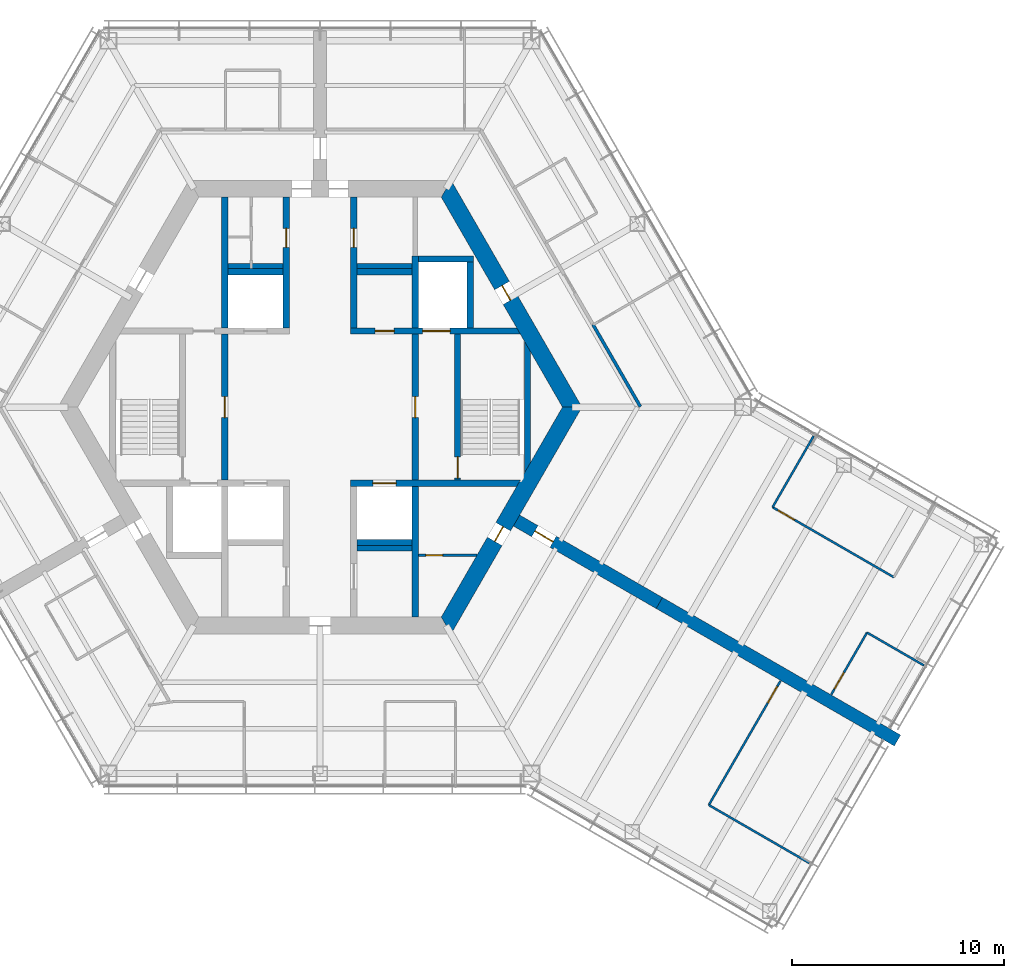
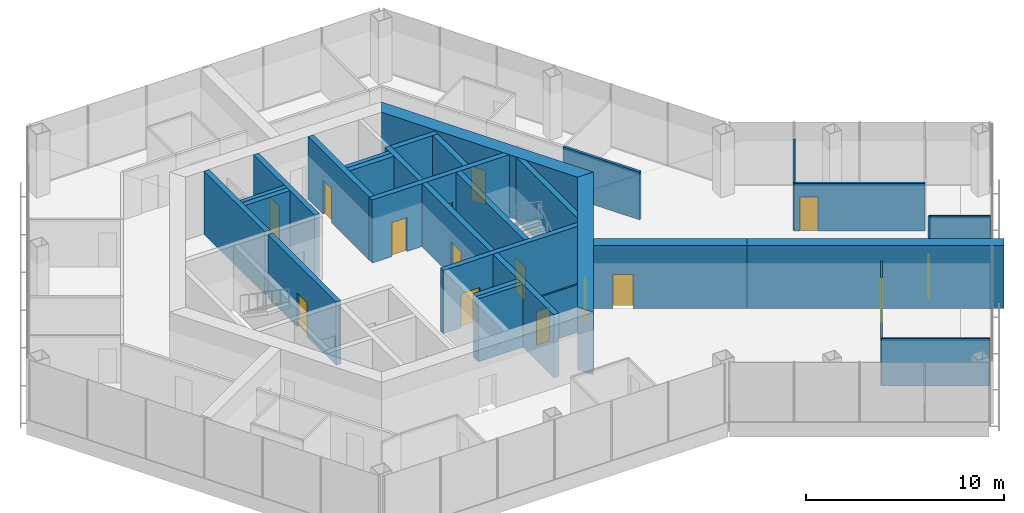
# One storey, part 11 of 16: 31 walls, 15 doors, 15 openings.
"""IFC4 building model written with IfcOpenShell, lengths in metres."""

from ifc_helpers import new_model, si_unit, direction, frame, frame_2d, origin, place, context, subcontext, project, spatial, polyline, rectangle, outline, extrude, material, layer, layer_set, type_object, element, fill, save


model = new_model("IFC4")

# Units and contexts
model_context = context("Model", 3, precision=1e-05, world=origin(), true_north=direction((0.0, 1.0)))
body_context = subcontext(model_context, "Body", "Model", "MODEL_VIEW")
ifc_project = project(units=[si_unit("LENGTHUNIT", "METRE"), si_unit("AREAUNIT", "SQUARE_METRE"), si_unit("VOLUMEUNIT", "CUBIC_METRE"), si_unit("PLANEANGLEUNIT", "RADIAN"), si_unit("MASSUNIT", "GRAM", prefix="KILO")], contexts=[model_context])

# Site, building, storey
site_placement = place(None, origin())
site = spatial("IfcSite", under=ifc_project, at=site_placement, CompositionType="ELEMENT")
building_placement = place(site_placement, origin())
building = spatial("IfcBuilding", under=site, at=building_placement, Name="Kasaneha Research Tower", CompositionType="ELEMENT")
storey_placement = place(building_placement, frame((0.0, 0.0, 263.5)))
storey = spatial("IfcBuildingStorey", under=building, at=storey_placement, Name="L66", CompositionType="ELEMENT", Elevation=263.5)

# Wall, openings, doors
ifc_material_1 = material(Name="Concrete Fc60", Category="concrete")
ifc_layer_1 = layer(ifc_material_1, 0.300048828125)
ifc_layer_set_1 = layer_set([ifc_layer_1], Name="Core internal wall 300 Fc60")
wall_type_1 = type_object("IfcWallType", Name="Core internal wall 300 Fc60", PredefinedType="SHEAR", material=ifc_layer_set_1)
wall_1_placement = place(storey_placement, frame((1.449951171875, 3.60009765625, 0.0), z_axis=(0.0, 0.0, 1.0), x_axis=(1.0, 0.0, 0.0)))
wall_1 = element("IfcWall", 1, at=wall_1_placement, inside=storey, type_object=wall_type_1, Name="Core wall W1E L66", PredefinedType="SHEAR", context=body_context, shape_type="SweptSolid", body=[
    extrude(outline(polyline([(0.0, -0.14990234375), (1.14990234375, -0.14990234375), (2.0498046875, -0.14990234375), (3.39990234375, -0.14990234375), (4.699951171875, -0.14990234375), (8.0185546875, -0.14990234375), (7.84521484375, 0.14990234375), (4.699951171875, 0.14990234375), (3.39990234375, 0.14990234375), (2.0498046875, 0.14990234375), (1.14990234375, 0.14990234375), (0.0, 0.14990234375), (0.0, -0.14990234375)])), origin(), (0.0, 0.0, 1.0), 3.89990234375),
])
opening_1_placement = place(wall_1_placement, frame((1.14990234375, 0.0, 0.0)))
opening_1 = element("IfcOpeningElement", 2, at=opening_1_placement, cuts=wall_1, Name="Opening L66-D17", PredefinedType="OPENING", context=body_context, shape_type="SweptSolid", body=[
    extrude(rectangle(XDim=0.89990234375, YDim=2.10009765625, at=frame_2d((0.449951171875, 1.050048828125))), frame((0.0, 0.16015625, 0.0), z_axis=(0.0, -1.0, 0.0), x_axis=(1.0, 0.0, 0.0)), (0.0, 0.0, 1.0), 0.320068359375),
])
opening_2_placement = place(wall_1_placement, frame((3.39990234375, 0.0, 0.0)))
opening_2 = element("IfcOpeningElement", 3, at=opening_2_placement, cuts=wall_1, Name="Opening LD-FL1-L66", PredefinedType="OPENING", context=body_context, shape_type="SweptSolid", body=[
    extrude(rectangle(XDim=1.300048828125, YDim=2.10009765625, at=frame_2d((0.64990234375, 1.050048828125))), frame((0.0, 0.16015625, 0.0), z_axis=(0.0, -1.0, 0.0), x_axis=(1.0, 0.0, 0.0)), (0.0, 0.0, 1.0), 0.320068359375),
])
ifc_material_2 = material(Name="Steel", Category="steel")
door_type_1 = type_object("IfcDoorType", Name="Lift landing door 1300x2100", OperationType="DOUBLE_DOOR_SLIDING", PredefinedType="DOOR", material=ifc_material_2)
door_1_placement = place(opening_2_placement, origin())
door_1 = element("IfcDoor", 4, at=door_1_placement, inside=storey, type_object=door_type_1, Name="Landing door FL1 LD-FL1-L66", OperationType="DOUBLE_DOOR_SLIDING", OverallHeight=2.10009765625, OverallWidth=1.300048828125, PredefinedType="DOOR", context=body_context, shape_type="SweptSolid", body=[
    extrude(rectangle(XDim=1.300048828125, YDim=2.10009765625, at=frame_2d((0.64990234375, 1.050048828125))), frame((0.0, 0.02490234375, 0.0), z_axis=(0.0, -1.0, 0.0), x_axis=(1.0, 0.0, 0.0)), (0.0, 0.0, 1.0), 0.050048828125),
])
fill(opening_2, door_1)
ifc_material_3 = material(Name="Steel", Category="steel")
door_type_2 = type_object("IfcDoorType", Name="Shaft room door FD60 900x2100", OperationType="NOTDEFINED", PredefinedType="DOOR", material=ifc_material_3)
door_2_placement = place(opening_1_placement, origin())
door_2 = element("IfcDoor", 5, at=door_2_placement, inside=storey, type_object=door_type_2, Name="Archive store door L66-D17", OperationType="SINGLE_SWING_LEFT", OverallHeight=2.10009765625, OverallWidth=0.89990234375, PredefinedType="DOOR", context=body_context, shape_type="SweptSolid", body=[
    extrude(rectangle(XDim=0.89990234375, YDim=2.10009765625, at=frame_2d((0.449951171875, 1.050048828125))), frame((0.0, 0.02490234375, 0.0), z_axis=(0.0, -1.0, 0.0), x_axis=(1.0, 0.0, 0.0)), (0.0, 0.0, 1.0), 0.050048828125),
])
fill(opening_1, door_2)

# Wall, opening, door
wall_2_placement = place(storey_placement, frame((1.449951171875, -3.60009765625, 0.0), z_axis=(0.0, 0.0, 1.0), x_axis=(1.0, 0.0, 0.0)))
wall_2 = element("IfcWall", 6, at=wall_2_placement, inside=storey, type_object=wall_type_1, Name="Core wall W2E L66", PredefinedType="SHEAR", context=body_context, shape_type="SweptSolid", body=[
    extrude(outline(polyline([(0.0, -0.14990234375), (1.050048828125, -0.14990234375), (2.150146484375, -0.14990234375), (7.84521484375, -0.14990234375), (8.0185546875, 0.14990234375), (2.150146484375, 0.14990234375), (1.050048828125, 0.14990234375), (0.0, 0.14990234375), (0.0, -0.14990234375)])), origin(), (0.0, 0.0, 1.0), 3.89990234375),
])
opening_3_placement = place(wall_2_placement, frame((1.050048828125, 0.0, 0.0)))
opening_3 = element("IfcOpeningElement", 7, at=opening_3_placement, cuts=wall_2, Name="Opening LD-LH3-L66", PredefinedType="OPENING", context=body_context, shape_type="SweptSolid", body=[
    extrude(rectangle(XDim=1.10009765625, YDim=2.10009765625, at=frame_2d((0.550048828125, 1.050048828125))), frame((0.0, 0.16015625, 0.0), z_axis=(0.0, -1.0, 0.0), x_axis=(1.0, 0.0, 0.0)), (0.0, 0.0, 1.0), 0.320068359375),
])
ifc_material_4 = material(Name="Steel", Category="steel")
door_type_3 = type_object("IfcDoorType", Name="Lift landing door 1100x2100", OperationType="DOUBLE_DOOR_SLIDING", PredefinedType="DOOR", material=ifc_material_4)
door_3_placement = place(opening_3_placement, origin())
door_3 = element("IfcDoor", 8, at=door_3_placement, inside=storey, type_object=door_type_3, Name="Landing door LH3 LD-LH3-L66", OperationType="DOUBLE_DOOR_SLIDING", OverallHeight=2.10009765625, OverallWidth=1.10009765625, PredefinedType="DOOR", context=body_context, shape_type="SweptSolid", body=[
    extrude(rectangle(XDim=1.10009765625, YDim=2.10009765625, at=frame_2d((0.550048828125, 1.050048828125))), frame((0.0, 0.02490234375, 0.0), z_axis=(0.0, -1.0, 0.0), x_axis=(1.0, 0.0, 0.0)), (0.0, 0.0, 1.0), 0.050048828125),
])
fill(opening_3, door_3)

wall_3_placement = place(storey_placement, frame((-1.60009765625, 3.75, 0.0), z_axis=(0.0, 0.0, 1.0), x_axis=(0.0, 1.0, 0.0)))
wall_3 = element("IfcWall", 9, at=wall_3_placement, inside=storey, type_object=wall_type_1, Name="Core wall CNW L66", PredefinedType="SHEAR", context=body_context, shape_type="SweptSolid", body=[
    extrude(rectangle(XDim=6.175048828125, YDim=0.300048828125, at=frame_2d((3.08740234375, 0.0))), origin(), (0.0, 0.0, 1.0), 3.89990234375),
])
opening_4_placement = place(wall_3_placement, frame((3.800048828125, 0.0, 0.0)))
opening_4 = element("IfcOpeningElement", 10, at=opening_4_placement, cuts=wall_3, Name="Opening L66-D13", PredefinedType="OPENING", context=body_context, shape_type="SweptSolid", body=[
    extrude(rectangle(XDim=0.89990234375, YDim=2.10009765625, at=frame_2d((0.449951171875, 1.050048828125))), frame((0.0, 0.16015625, 0.0), z_axis=(0.0, -1.0, 0.0), x_axis=(1.0, 0.0, 0.0)), (0.0, 0.0, 1.0), 0.320068359375),
])
ifc_material_5 = material(Name="Steel", Category="steel")
door_type_4 = type_object("IfcDoorType", Name="Toilet door FD20 900x2100", OperationType="NOTDEFINED", PredefinedType="DOOR", material=ifc_material_5)
door_4_placement = place(opening_4_placement, origin())
door_4 = element("IfcDoor", 11, at=door_4_placement, inside=storey, type_object=door_type_4, Name="Men's WC door L66-D13", OperationType="SINGLE_SWING_LEFT", OverallHeight=2.10009765625, OverallWidth=0.89990234375, PredefinedType="DOOR", context=body_context, shape_type="SweptSolid", body=[
    extrude(rectangle(XDim=0.89990234375, YDim=2.10009765625, at=frame_2d((0.449951171875, 1.050048828125))), frame((0.0, 0.02490234375, 0.0), z_axis=(0.0, -1.0, 0.0), x_axis=(1.0, 0.0, 0.0)), (0.0, 0.0, 1.0), 0.050048828125),
])
fill(opening_4, door_4)

wall_4_placement = place(storey_placement, frame((1.60009765625, 3.75, 0.0), z_axis=(0.0, 0.0, 1.0), x_axis=(0.0, 1.0, 0.0)))
wall_4 = element("IfcWall", 12, at=wall_4_placement, inside=storey, type_object=wall_type_1, Name="Core wall CNE L66", PredefinedType="SHEAR", context=body_context, shape_type="SweptSolid", body=[
    extrude(rectangle(XDim=6.175048828125, YDim=0.300048828125, at=frame_2d((3.08740234375, 0.0))), origin(), (0.0, 0.0, 1.0), 3.89990234375),
])
opening_5_placement = place(wall_4_placement, frame((3.800048828125, 0.0, 0.0)))
opening_5 = element("IfcOpeningElement", 13, at=opening_5_placement, cuts=wall_4, Name="Opening L66-D14", PredefinedType="OPENING", context=body_context, shape_type="SweptSolid", body=[
    extrude(rectangle(XDim=0.89990234375, YDim=2.10009765625, at=frame_2d((0.449951171875, 1.050048828125))), frame((0.0, 0.16015625, 0.0), z_axis=(0.0, -1.0, 0.0), x_axis=(1.0, 0.0, 0.0)), (0.0, 0.0, 1.0), 0.320068359375),
])
door_5_placement = place(opening_5_placement, origin())
door_5 = element("IfcDoor", 14, at=door_5_placement, inside=storey, type_object=door_type_4, Name="Women's WC door L66-D14", OperationType="SINGLE_SWING_LEFT", OverallHeight=2.10009765625, OverallWidth=0.89990234375, PredefinedType="DOOR", context=body_context, shape_type="SweptSolid", body=[
    extrude(rectangle(XDim=0.89990234375, YDim=2.10009765625, at=frame_2d((0.449951171875, 1.050048828125))), frame((0.0, 0.02490234375, 0.0), z_axis=(0.0, -1.0, 0.0), x_axis=(1.0, 0.0, 0.0)), (0.0, 0.0, 1.0), 0.050048828125),
])
fill(opening_5, door_5)

wall_5_placement = place(storey_placement, frame((-4.5, -3.449951171875, 0.0), z_axis=(0.0, 0.0, 1.0), x_axis=(0.0, 1.0, 0.0)))
wall_5 = element("IfcWall", 15, at=wall_5_placement, inside=storey, type_object=wall_type_1, Name="Core wall LBW L66", PredefinedType="SHEAR", context=body_context, shape_type="SweptSolid", body=[
    extrude(rectangle(XDim=6.89990234375, YDim=0.300048828125, at=frame_2d((3.449951171875, 0.0))), origin(), (0.0, 0.0, 1.0), 3.89990234375),
])
opening_6_placement = place(wall_5_placement, frame((2.949951171875, 0.0, 0.0)))
opening_6 = element("IfcOpeningElement", 16, at=opening_6_placement, cuts=wall_5, Name="Opening L66-D09", PredefinedType="OPENING", context=body_context, shape_type="SweptSolid", body=[
    extrude(rectangle(XDim=1.0, YDim=2.10009765625, at=frame_2d((0.5, 1.050048828125))), frame((0.0, 0.16015625, 0.0), z_axis=(0.0, -1.0, 0.0), x_axis=(1.0, 0.0, 0.0)), (0.0, 0.0, 1.0), 0.320068359375),
])
ifc_material_6 = material(Name="Steel", Category="steel")
door_type_5 = type_object("IfcDoorType", Name="Specified fire door FD60 1000x2100", OperationType="NOTDEFINED", PredefinedType="DOOR", material=ifc_material_6)
door_6_placement = place(opening_6_placement, origin())
door_6 = element("IfcDoor", 17, at=door_6_placement, inside=storey, type_object=door_type_5, Name="Lift lobby door west L66-D09", OperationType="SINGLE_SWING_LEFT", OverallHeight=2.10009765625, OverallWidth=1.0, PredefinedType="DOOR", context=body_context, shape_type="SweptSolid", body=[
    extrude(rectangle(XDim=1.0, YDim=2.10009765625, at=frame_2d((0.5, 1.050048828125))), frame((0.0, 0.02490234375, 0.0), z_axis=(0.0, -1.0, 0.0), x_axis=(1.0, 0.0, 0.0)), (0.0, 0.0, 1.0), 0.050048828125),
])
fill(opening_6, door_6)

wall_6_placement = place(storey_placement, frame((4.5, -3.449951171875, 0.0), z_axis=(0.0, 0.0, 1.0), x_axis=(0.0, 1.0, 0.0)))
wall_6 = element("IfcWall", 18, at=wall_6_placement, inside=storey, type_object=wall_type_1, Name="Core wall LBE L66", PredefinedType="SHEAR", context=body_context, shape_type="SweptSolid", body=[
    extrude(rectangle(XDim=6.89990234375, YDim=0.300048828125, at=frame_2d((3.449951171875, 0.0))), origin(), (0.0, 0.0, 1.0), 3.89990234375),
])
opening_7_placement = place(wall_6_placement, frame((2.949951171875, 0.0, 0.0)))
opening_7 = element("IfcOpeningElement", 19, at=opening_7_placement, cuts=wall_6, Name="Opening L66-D08", PredefinedType="OPENING", context=body_context, shape_type="SweptSolid", body=[
    extrude(rectangle(XDim=1.0, YDim=2.10009765625, at=frame_2d((0.5, 1.050048828125))), frame((0.0, 0.16015625, 0.0), z_axis=(0.0, -1.0, 0.0), x_axis=(1.0, 0.0, 0.0)), (0.0, 0.0, 1.0), 0.320068359375),
])
door_7_placement = place(opening_7_placement, origin())
door_7 = element("IfcDoor", 20, at=door_7_placement, inside=storey, type_object=door_type_5, Name="Lift lobby door east L66-D08", OperationType="SINGLE_SWING_LEFT", OverallHeight=2.10009765625, OverallWidth=1.0, PredefinedType="DOOR", context=body_context, shape_type="SweptSolid", body=[
    extrude(rectangle(XDim=1.0, YDim=2.10009765625, at=frame_2d((0.5, 1.050048828125))), frame((0.0, 0.02490234375, 0.0), z_axis=(0.0, -1.0, 0.0), x_axis=(1.0, 0.0, 0.0)), (0.0, 0.0, 1.0), 0.050048828125),
])
fill(opening_7, door_7)

wall_7_placement = place(storey_placement, frame((6.5, -3.449951171875, 0.0), z_axis=(0.0, 0.0, 1.0), x_axis=(0.0, 1.0, 0.0)))
wall_7 = element("IfcWall", 21, at=wall_7_placement, inside=storey, type_object=wall_type_1, Name="Core wall ANE L66", PredefinedType="SHEAR", context=body_context, shape_type="SweptSolid", body=[
    extrude(rectangle(XDim=6.89990234375, YDim=0.300048828125, at=frame_2d((3.449951171875, 0.0))), origin(), (0.0, 0.0, 1.0), 3.89990234375),
])
opening_8_placement = place(wall_7_placement, frame((0.10009765625, 0.0, 0.0)))
opening_8 = element("IfcOpeningElement", 22, at=opening_8_placement, cuts=wall_7, Name="Opening L66-D10", PredefinedType="OPENING", context=body_context, shape_type="SweptSolid", body=[
    extrude(rectangle(XDim=1.0, YDim=2.10009765625, at=frame_2d((0.5, 1.050048828125))), frame((0.0, 0.16015625, 0.0), z_axis=(0.0, -1.0, 0.0), x_axis=(1.0, 0.0, 0.0)), (0.0, 0.0, 1.0), 0.320068359375),
])
door_8_placement = place(opening_8_placement, origin())
door_8 = element("IfcDoor", 23, at=door_8_placement, inside=storey, type_object=door_type_5, Name="Stair 1 door L66-D10", OperationType="SINGLE_SWING_LEFT", OverallHeight=2.10009765625, OverallWidth=1.0, PredefinedType="DOOR", context=body_context, shape_type="SweptSolid", body=[
    extrude(rectangle(XDim=1.0, YDim=2.10009765625, at=frame_2d((0.5, 1.050048828125))), frame((0.0, 0.02490234375, 0.0), z_axis=(0.0, -1.0, 0.0), x_axis=(1.0, 0.0, 0.0)), (0.0, 0.0, 1.0), 0.050048828125),
])
fill(opening_8, door_8)

# Walls
wall_8_placement = place(storey_placement, frame((-4.5, 3.75, 0.0), z_axis=(0.0, 0.0, 1.0), x_axis=(0.0, 1.0, 0.0)))
element("IfcWall", 24, at=wall_8_placement, inside=storey, type_object=wall_type_1, Name="Core wall VNW L66", PredefinedType="SHEAR", context=body_context, shape_type="SweptSolid", body=[
    extrude(rectangle(XDim=6.175048828125, YDim=0.300048828125, at=frame_2d((3.08740234375, 0.0))), origin(), (0.0, 0.0, 1.0), 3.89990234375),
])
wall_9_placement = place(storey_placement, frame((4.5, 3.75, 0.0), z_axis=(0.0, 0.0, 1.0), x_axis=(0.0, 1.0, 0.0)))
element("IfcWall", 25, at=wall_9_placement, inside=storey, type_object=wall_type_1, Name="Core wall FNE L66", PredefinedType="SHEAR", context=body_context, shape_type="SweptSolid", body=[
    extrude(rectangle(XDim=3.39990234375, YDim=0.300048828125, at=frame_2d((1.699951171875, 0.0))), origin(), (0.0, 0.0, 1.0), 3.89990234375),
])
wall_10_placement = place(storey_placement, frame((4.5, -3.75, 0.0), z_axis=(0.0, 0.0, 1.0), x_axis=(0.0, -1.0, 0.0)))
element("IfcWall", 26, at=wall_10_placement, inside=storey, type_object=wall_type_1, Name="Core wall SSE L66", PredefinedType="SHEAR", context=body_context, shape_type="SweptSolid", body=[
    extrude(rectangle(XDim=6.175048828125, YDim=0.300048828125, at=frame_2d((3.08740234375, 0.0))), origin(), (0.0, 0.0, 1.0), 3.89990234375),
])
for number, where, z_axis, x_axis, name in (
    (27, (-4.35009765625, 6.39990234375, 0.0), (0.0, 0.0, 1.0), (1.0, 0.0, 0.0), "Core wall N1N L66"),
    (28, (1.75, 6.39990234375, 0.0), (0.0, 0.0, 1.0), (1.0, 0.0, 0.0), "Core wall N3N L66"),
    (29, (1.75, -6.39990234375, 0.0), (0.0, 0.0, 1.0), (1.0, 0.0, 0.0), "Core wall S3S L66"),
    (30, (4.64990234375, 7.0, 0.0), (0.0, 0.0, 1.0), (1.0, 0.0, 0.0), "Core wall F1N L66"),
):
    element("IfcWall", number, at=place(storey_placement, frame(where, z_axis=z_axis, x_axis=x_axis)), inside=storey, type_object=wall_type_1, Name=name, PredefinedType="SHEAR", context=body_context, shape_type="SweptSolid", body=[
        extrude(rectangle(XDim=2.60009765625, YDim=0.300048828125, at=frame_2d((1.300048828125, 0.0))), origin(), (0.0, 0.0, 1.0), 3.89990234375),
    ])
wall_11_placement = place(storey_placement, frame((7.10009765625, 3.75, 0.0), z_axis=(0.0, 0.0, 1.0), x_axis=(0.0, 1.0, 0.0)))
element("IfcWall", 31, at=wall_11_placement, inside=storey, type_object=wall_type_1, Name="Core wall F1E L66", PredefinedType="SHEAR", context=body_context, shape_type="SweptSolid", body=[
    extrude(rectangle(XDim=3.10009765625, YDim=0.300048828125, at=frame_2d((1.550048828125, 0.0))), origin(), (0.0, 0.0, 1.0), 3.89990234375),
])
wall_12_placement = place(storey_placement, frame((9.807861328125, -2.8623046875, 0.0), z_axis=(0.0, 0.0, 1.0), x_axis=(0.0, 1.0, 0.0)))
element("IfcWall", 32, at=wall_12_placement, inside=storey, type_object=wall_type_1, Name="Core wall STE L66", PredefinedType="SHEAR", context=body_context, shape_type="SweptSolid", body=[
    extrude(outline(polyline([(0.259765625, -0.14990234375), (5.46484375, -0.14990234375), (5.984375, 0.14990234375), (-0.259765625, 0.14990234375), (0.259765625, -0.14990234375)])), origin(), (0.0, 0.0, 1.0), 3.89990234375),
])

# Wall, opening, door
ifc_material_7 = material(Name="Concrete Fc60", Category="concrete")
ifc_layer_2 = layer(ifc_material_7, 0.800048828125)
ifc_layer_set_2 = layer_set([ifc_layer_2], Name="Core wall 800 Fc60")
wall_type_2 = type_object("IfcWallType", Name="Core wall 800 Fc60", PredefinedType="SHEAR", material=ifc_layer_set_2)
wall_13_placement = place(storey_placement, frame((11.92236328125, 0.0, 0.0), z_axis=(0.0, 0.0, 1.0), x_axis=(-0.500004296715, 0.866022923061, 0.0)))
wall_13 = element("IfcWall", 33, at=wall_13_placement, inside=storey, type_object=wall_type_2, Name="Core wall 030 L66", PredefinedType="SHEAR", context=body_context, shape_type="SweptSolid", body=[
    extrude(outline(polyline([(-0.23095703125, -0.39990234375), (5.83544921875, -0.39990234375), (6.635498046875, -0.39990234375), (12.1533203125, -0.39990234375), (11.69140625, 0.39990234375), (6.635498046875, 0.39990234375), (5.83544921875, 0.39990234375), (0.23095703125, 0.39990234375), (-0.23095703125, -0.39990234375)])), origin(), (0.0, 0.0, 1.0), 3.89990234375),
])
opening_9_placement = place(wall_13_placement, frame((5.83544921875, 0.0, 0.0)))
opening_9 = element("IfcOpeningElement", 34, at=opening_9_placement, cuts=wall_13, Name="Opening L66-D04", PredefinedType="OPENING", context=body_context, shape_type="SweptSolid", body=[
    extrude(rectangle(XDim=0.800048828125, YDim=2.10009765625, at=frame_2d((0.39990234375, 1.050048828125))), frame((0.0, 0.41015625, 0.0), z_axis=(0.0, -1.0, 0.0), x_axis=(1.0, 0.0, 0.0)), (0.0, 0.0, 1.0), 0.820068359375),
])
ifc_material_8 = material(Name="Steel", Category="steel")
door_type_6 = type_object("IfcDoorType", Name="Riser access door FD60 800x2100", OperationType="NOTDEFINED", PredefinedType="DOOR", material=ifc_material_8)
door_9_placement = place(opening_9_placement, origin())
door_9 = element("IfcDoor", 35, at=door_9_placement, inside=storey, type_object=door_type_6, Name="Pipe riser door L66-D04", OperationType="SINGLE_SWING_RIGHT", OverallHeight=2.10009765625, OverallWidth=0.800048828125, PredefinedType="DOOR", context=body_context, shape_type="SweptSolid", body=[
    extrude(rectangle(XDim=0.800048828125, YDim=2.10009765625, at=frame_2d((0.39990234375, 1.050048828125))), frame((0.0, 0.02490234375, 0.0), z_axis=(0.0, -1.0, 0.0), x_axis=(1.0, 0.0, 0.0)), (0.0, 0.0, 1.0), 0.050048828125),
])
fill(opening_9, door_9)

wall_14_placement = place(storey_placement, frame((5.961181640625, -10.324951171875, 0.0), z_axis=(0.0, 0.0, 1.0), x_axis=(0.500004296715, 0.866022923061, 0.0)))
wall_14 = element("IfcWall", 36, at=wall_14_placement, inside=storey, type_object=wall_type_2, Name="Core wall 330 L66", PredefinedType="SHEAR", context=body_context, shape_type="SweptSolid", body=[
    extrude(outline(polyline([(-0.23095703125, -0.39990234375), (4.593994140625, -0.39990234375), (5.39404296875, -0.39990234375), (12.1533203125, -0.39990234375), (11.69140625, 0.39990234375), (5.39404296875, 0.39990234375), (4.593994140625, 0.39990234375), (0.23095703125, 0.39990234375), (-0.23095703125, -0.39990234375)])), origin(), (0.0, 0.0, 1.0), 3.89990234375),
])
opening_10_placement = place(wall_14_placement, frame((4.593994140625, 0.0, 0.0)))
opening_10 = element("IfcOpeningElement", 37, at=opening_10_placement, cuts=wall_14, Name="Opening L66-D05", PredefinedType="OPENING", context=body_context, shape_type="SweptSolid", body=[
    extrude(rectangle(XDim=0.800048828125, YDim=2.10009765625, at=frame_2d((0.39990234375, 1.050048828125))), frame((0.0, 0.41015625, 0.0), z_axis=(0.0, -1.0, 0.0), x_axis=(1.0, 0.0, 0.0)), (0.0, 0.0, 1.0), 0.820068359375),
])
door_10_placement = place(opening_10_placement, origin())
door_10 = element("IfcDoor", 38, at=door_10_placement, inside=storey, type_object=door_type_6, Name="Pipe riser door L66-D05", OperationType="SINGLE_SWING_LEFT", OverallHeight=2.10009765625, OverallWidth=0.800048828125, PredefinedType="DOOR", context=body_context, shape_type="SweptSolid", body=[
    extrude(rectangle(XDim=0.800048828125, YDim=2.10009765625, at=frame_2d((0.39990234375, 1.050048828125))), frame((0.0, 0.02490234375, 0.0), z_axis=(0.0, -1.0, 0.0), x_axis=(1.0, 0.0, 0.0)), (0.0, 0.0, 1.0), 0.050048828125),
])
fill(opening_10, door_10)

ifc_material_9 = material(Name="Gypsum board on steel studs, one layer each side", Category="steel")
ifc_layer_3 = layer(ifc_material_9, 0.10009765625)
ifc_layer_set_3 = layer_set([ifc_layer_3], Name="Office partition 100")
wall_type_3 = type_object("IfcWallType", Name="Office partition 100", PredefinedType="PARTITIONING", material=ifc_layer_set_3)
wall_15_placement = place(storey_placement, frame((4.64990234375, -7.0, 0.0), z_axis=(0.0, 0.0, 1.0), x_axis=(1.0, 0.0, 0.0)))
wall_15 = element("IfcWall", 39, at=wall_15_placement, inside=storey, type_object=wall_type_3, Name="Office partition RS-SE L66", PredefinedType="PARTITIONING", context=body_context, shape_type="SweptSolid", body=[
    extrude(outline(polyline([(0.0, -0.050048828125), (0.35009765625, -0.050048828125), (1.150146484375, -0.050048828125), (2.740234375, -0.050048828125), (2.76904296875, 0.0), (2.77490234375, 0.050048828125), (1.150146484375, 0.050048828125), (0.35009765625, 0.050048828125), (0.0, 0.050048828125), (0.0, -0.050048828125)])), origin(), (0.0, 0.0, 1.0), 2.949951171875),
])
opening_11_placement = place(wall_15_placement, frame((0.35009765625, 0.0, 0.0)))
opening_11 = element("IfcOpeningElement", 40, at=opening_11_placement, cuts=wall_15, Name="Opening L66-D23", PredefinedType="OPENING", context=body_context, shape_type="SweptSolid", body=[
    extrude(rectangle(XDim=0.800048828125, YDim=2.10009765625, at=frame_2d((0.39990234375, 1.050048828125))), frame((0.0, 0.06005859375, 0.0), z_axis=(0.0, -1.0, 0.0), x_axis=(1.0, 0.0, 0.0)), (0.0, 0.0, 1.0), 0.1201171875),
])
door_11_placement = place(opening_11_placement, origin())
door_11 = element("IfcDoor", 41, at=door_11_placement, inside=storey, type_object=door_type_6, Name="Drainage riser door L66-D23", OperationType="SINGLE_SWING_LEFT", OverallHeight=2.10009765625, OverallWidth=0.800048828125, PredefinedType="DOOR", context=body_context, shape_type="SweptSolid", body=[
    extrude(rectangle(XDim=0.800048828125, YDim=2.10009765625, at=frame_2d((0.39990234375, 1.050048828125))), frame((0.0, 0.02490234375, 0.0), z_axis=(0.0, -1.0, 0.0), x_axis=(1.0, 0.0, 0.0)), (0.0, 0.0, 1.0), 0.050048828125),
])
fill(opening_11, door_11)

# Wall
wall_16_placement = place(storey_placement, frame((21.39208984375, -4.729736328125, 0.0), z_axis=(0.0, 0.0, 1.0), x_axis=(0.500043804875, 0.866000111551, 0.0)))
element("IfcWall", 42, at=wall_16_placement, inside=storey, type_object=wall_type_3, Name="Office partition FCE01 L66", PredefinedType="PARTITIONING", context=body_context, shape_type="SweptSolid", body=[
    extrude(rectangle(XDim=3.880126953125, YDim=0.10009765625, at=frame_2d((1.93994140625, 0.0))), origin(), (0.0, 0.0, 1.0), 2.949951171875),
])

# Wall, opening, door
wall_17_placement = place(storey_placement, frame((27.125, -8.03955078125, 0.0), z_axis=(0.0, 0.0, 1.0), x_axis=(-0.866030817826, 0.499990622488, 0.0)))
wall_17 = element("IfcWall", 43, at=wall_17_placement, inside=storey, type_object=wall_type_3, Name="Office partition FCE02 L66", PredefinedType="PARTITIONING", context=body_context, shape_type="SweptSolid", body=[
    extrude(rectangle(XDim=6.619873046875, YDim=0.10009765625, at=frame_2d((3.31005859375, 0.0))), origin(), (0.0, 0.0, 1.0), 2.949951171875),
])
opening_12_placement = place(wall_17_placement, frame((5.419677734375, 0.0, 0.0)))
opening_12 = element("IfcOpeningElement", 44, at=opening_12_placement, cuts=wall_17, Name="Opening L66-D36", PredefinedType="OPENING", context=body_context, shape_type="SweptSolid", body=[
    extrude(rectangle(XDim=0.89990234375, YDim=2.10009765625, at=frame_2d((0.449951171875, 1.050048828125))), frame((0.0, 0.06005859375, 0.0), z_axis=(0.0, -1.0, 0.0), x_axis=(1.0, 0.0, 0.0)), (0.0, 0.0, 1.0), 0.1201171875),
])
ifc_material_10 = material(Name="Timber veneer", Category="wood")
door_type_7 = type_object("IfcDoorType", Name="Office door 900x2100", OperationType="SINGLE_SWING_LEFT", PredefinedType="DOOR", material=ifc_material_10)
door_12_placement = place(opening_12_placement, origin())
door_12 = element("IfcDoor", 45, at=door_12_placement, inside=storey, type_object=door_type_7, Name="Executive office door L66-D36", OperationType="SINGLE_SWING_RIGHT", OverallHeight=2.10009765625, OverallWidth=0.89990234375, PredefinedType="DOOR", context=body_context, shape_type="SweptSolid", body=[
    extrude(rectangle(XDim=0.89990234375, YDim=2.10009765625, at=frame_2d((0.449951171875, 1.050048828125))), frame((0.0, 0.02490234375, 0.0), z_axis=(0.0, -1.0, 0.0), x_axis=(1.0, 0.0, 0.0)), (0.0, 0.0, 1.0), 0.050048828125),
])
fill(opening_12, door_12)

wall_18_placement = place(storey_placement, frame((24.166748046875, -13.5830078125, 0.0), z_axis=(0.0, 0.0, 1.0), x_axis=(0.500007997579, 0.866020786331, 0.0)))
wall_18 = element("IfcWall", 46, at=wall_18_placement, inside=storey, type_object=wall_type_3, Name="Office partition FCE04 L66", PredefinedType="PARTITIONING", context=body_context, shape_type="SweptSolid", body=[
    extrude(rectangle(XDim=3.3798828125, YDim=0.10009765625, at=frame_2d((1.68994140625, 0.0))), origin(), (0.0, 0.0, 1.0), 2.949951171875),
])
opening_13_placement = place(wall_18_placement, frame((0.300048828125, 0.0, 0.0)))
opening_13 = element("IfcOpeningElement", 47, at=opening_13_placement, cuts=wall_18, Name="Opening L66-D37", PredefinedType="OPENING", context=body_context, shape_type="SweptSolid", body=[
    extrude(rectangle(XDim=0.89990234375, YDim=2.10009765625, at=frame_2d((0.449951171875, 1.050048828125))), frame((0.0, 0.06005859375, 0.0), z_axis=(0.0, -1.0, 0.0), x_axis=(1.0, 0.0, 0.0)), (0.0, 0.0, 1.0), 0.1201171875),
])
door_13_placement = place(opening_13_placement, origin())
door_13 = element("IfcDoor", 48, at=door_13_placement, inside=storey, type_object=door_type_7, Name="Workroom door L66-D37", OperationType="SINGLE_SWING_LEFT", OverallHeight=2.10009765625, OverallWidth=0.89990234375, PredefinedType="DOOR", context=body_context, shape_type="SweptSolid", body=[
    extrude(rectangle(XDim=0.89990234375, YDim=2.10009765625, at=frame_2d((0.449951171875, 1.050048828125))), frame((0.0, 0.02490234375, 0.0), z_axis=(0.0, -1.0, 0.0), x_axis=(1.0, 0.0, 0.0)), (0.0, 0.0, 1.0), 0.050048828125),
])
fill(opening_13, door_13)

# Wall
wall_19_placement = place(storey_placement, frame((25.856689453125, -10.656005859375, 0.0), z_axis=(0.0, 0.0, 1.0), x_axis=(0.866036558865, -0.499980678337, 0.0)))
element("IfcWall", 49, at=wall_19_placement, inside=storey, type_object=wall_type_3, Name="Office partition FCE05 L66", PredefinedType="PARTITIONING", context=body_context, shape_type="SweptSolid", body=[
    extrude(rectangle(XDim=3.10986328125, YDim=0.10009765625, at=frame_2d((1.554931640625, 0.0))), origin(), (0.0, 0.0, 1.0), 2.949951171875),
])

# Wall, opening, door
wall_20_placement = place(storey_placement, frame((18.378173828125, -18.80908203125, 0.0), z_axis=(0.0, 0.0, 1.0), x_axis=(0.500019607421, 0.866014083139, 0.0)))
wall_20 = element("IfcWall", 50, at=wall_20_placement, inside=storey, type_object=wall_type_3, Name="Office partition FCS01 L66", PredefinedType="PARTITIONING", context=body_context, shape_type="SweptSolid", body=[
    extrude(rectangle(XDim=6.780029296875, YDim=0.10009765625, at=frame_2d((3.39013671875, 0.0))), origin(), (0.0, 0.0, 1.0), 2.949951171875),
])
opening_14_placement = place(wall_20_placement, frame((5.580078125, 0.0, 0.0)))
opening_14 = element("IfcOpeningElement", 51, at=opening_14_placement, cuts=wall_20, Name="Opening L66-D38", PredefinedType="OPENING", context=body_context, shape_type="SweptSolid", body=[
    extrude(rectangle(XDim=0.89990234375, YDim=2.10009765625, at=frame_2d((0.449951171875, 1.050048828125))), frame((0.0, 0.06005859375, 0.0), z_axis=(0.0, -1.0, 0.0), x_axis=(1.0, 0.0, 0.0)), (0.0, 0.0, 1.0), 0.1201171875),
])
door_14_placement = place(opening_14_placement, origin())
door_14 = element("IfcDoor", 52, at=door_14_placement, inside=storey, type_object=door_type_7, Name="Board meeting room door L66-D38", OperationType="SINGLE_SWING_RIGHT", OverallHeight=2.10009765625, OverallWidth=0.89990234375, PredefinedType="DOOR", context=body_context, shape_type="SweptSolid", body=[
    extrude(rectangle(XDim=0.89990234375, YDim=2.10009765625, at=frame_2d((0.449951171875, 1.050048828125))), frame((0.0, 0.02490234375, 0.0), z_axis=(0.0, -1.0, 0.0), x_axis=(1.0, 0.0, 0.0)), (0.0, 0.0, 1.0), 0.050048828125),
])
fill(opening_14, door_14)

# Wall
wall_21_placement = place(storey_placement, frame((23.1240234375, -21.549072265625, 0.0), z_axis=(0.0, 0.0, 1.0), x_axis=(-0.866027562125, 0.499996261625, 0.0)))
element("IfcWall", 53, at=wall_21_placement, inside=storey, type_object=wall_type_3, Name="Office partition FCS02 L66", PredefinedType="PARTITIONING", context=body_context, shape_type="SweptSolid", body=[
    extrude(rectangle(XDim=5.47998046875, YDim=0.10009765625, at=frame_2d((2.739990234375, 0.0))), origin(), (0.0, 0.0, 1.0), 2.949951171875),
])

# Wall, opening, door
ifc_material_11 = material(Name="Concrete Fc60", Category="concrete")
ifc_layer_4 = layer(ifc_material_11, 0.60009765625)
ifc_layer_set_4 = layer_set([ifc_layer_4], Name="Spine wall 600 Fc60")
wall_type_4 = type_object("IfcWallType", Name="Spine wall 600 Fc60", PredefinedType="SHEAR", material=ifc_layer_set_4)
wall_22_placement = place(storey_placement, frame((9.2880859375, -5.362548828125, 0.0), z_axis=(0.0, 0.0, 1.0), x_axis=(0.866031736626, -0.499989031036, 0.0)))
wall_22 = element("IfcWall", 54, at=wall_22_placement, inside=storey, type_object=wall_type_4, Name="Spine wall C L66", PredefinedType="SHEAR", context=body_context, shape_type="SweptSolid", body=[
    extrude(rectangle(XDim=7.795654296875, YDim=0.60009765625, at=frame_2d((3.89794921875, 0.0))), origin(), (0.0, 0.0, 1.0), 3.89990234375),
])
opening_15_placement = place(wall_22_placement, frame((1.0, 0.0, 0.0)))
opening_15 = element("IfcOpeningElement", 55, at=opening_15_placement, cuts=wall_22, Name="Opening L66-D20", PredefinedType="OPENING", context=body_context, shape_type="SweptSolid", body=[
    extrude(rectangle(XDim=1.0, YDim=2.10009765625, at=frame_2d((0.5, 1.050048828125))), frame((0.0, 0.31005859375, 0.0), z_axis=(0.0, -1.0, 0.0), x_axis=(1.0, 0.0, 0.0)), (0.0, 0.0, 1.0), 0.6201171875),
])
door_15_placement = place(opening_15_placement, origin())
door_15 = element("IfcDoor", 56, at=door_15_placement, inside=storey, type_object=door_type_5, Name="Spine doorway C L66-D20", OperationType="SINGLE_SWING_LEFT", OverallHeight=2.10009765625, OverallWidth=1.0, PredefinedType="DOOR", context=body_context, shape_type="SweptSolid", body=[
    extrude(rectangle(XDim=1.0, YDim=2.10009765625, at=frame_2d((0.5, 1.050048828125))), frame((0.0, 0.02490234375, 0.0), z_axis=(0.0, -1.0, 0.0), x_axis=(1.0, 0.0, 0.0)), (0.0, 0.0, 1.0), 0.050048828125),
])
fill(opening_15, door_15)

# Walls
wall_23_placement = place(storey_placement, frame((16.039306640625, -9.26025390625, 0.0), z_axis=(0.0, 0.0, 1.0), x_axis=(0.866024837091, -0.50000098154, 0.0)))
element("IfcWall", 57, at=wall_23_placement, inside=storey, type_object=wall_type_4, Name="Spine wall C wing L66", PredefinedType="SHEAR", context=body_context, shape_type="SweptSolid", body=[
    extrude(rectangle(XDim=13.0, YDim=0.60009765625, at=frame_2d((6.5, 0.0))), origin(), (0.0, 0.0, 1.0), 3.89990234375),
])
ifc_material_12 = material(Name="Gypsum board on steel studs, two layers each side", Category="steel")
ifc_layer_5 = layer(ifc_material_12, 0.14990234375)
ifc_layer_set_5 = layer_set([ifc_layer_5], Name="Suite partition 150")
wall_type_5 = type_object("IfcWallType", Name="Suite partition 150", PredefinedType="PARTITIONING", material=ifc_layer_set_5)
wall_24_placement = place(storey_placement, frame((12.90283203125, 3.90185546875, 0.0), z_axis=(0.0, 0.0, 1.0), x_axis=(0.499964488425, -0.866045905431, 0.0)))
element("IfcWall", 58, at=wall_24_placement, inside=storey, type_object=wall_type_5, Name="Suite partition FAE02 L66", PredefinedType="PARTITIONING", context=body_context, shape_type="SweptSolid", body=[
    extrude(rectangle(XDim=4.482177734375, YDim=0.14990234375, at=frame_2d((2.2412109375, 0.0))), origin(), (0.0, 0.0, 1.0), 2.949951171875),
])
ifc_material_13 = material(Name="Concrete block lining", Category="concrete")
ifc_layer_6 = layer(ifc_material_13, 0.25)
ifc_layer_set_6 = layer_set([ifc_layer_6], Name="WC plumbing wall 250")
wall_type_6 = type_object("IfcWallType", Name="WC plumbing wall 250", PredefinedType="PLUMBINGWALL", material=ifc_layer_set_6)
for number, where, z_axis, x_axis, name in (
    (59, (-4.35009765625, 6.675048828125, 0.0), (0.0, 0.0, 1.0), (1.0, 0.0, 0.0), "WC plumbing wall M L66"),
    (60, (1.75, 6.675048828125, 0.0), (0.0, 0.0, 1.0), (1.0, 0.0, 0.0), "WC plumbing wall F L66"),
    (61, (1.75, -6.675048828125, 0.0), (0.0, 0.0, 1.0), (1.0, 0.0, 0.0), "WC plumbing wall A L66"),
):
    element("IfcWall", number, at=place(storey_placement, frame(where, z_axis=z_axis, x_axis=x_axis)), inside=storey, type_object=wall_type_6, Name=name, PredefinedType="PLUMBINGWALL", context=body_context, shape_type="SweptSolid", body=[
        extrude(rectangle(XDim=2.60009765625, YDim=0.25, at=frame_2d((1.300048828125, 0.0))), origin(), (0.0, 0.0, 1.0), 3.89990234375),
    ])

save(model, "model.ifc")
